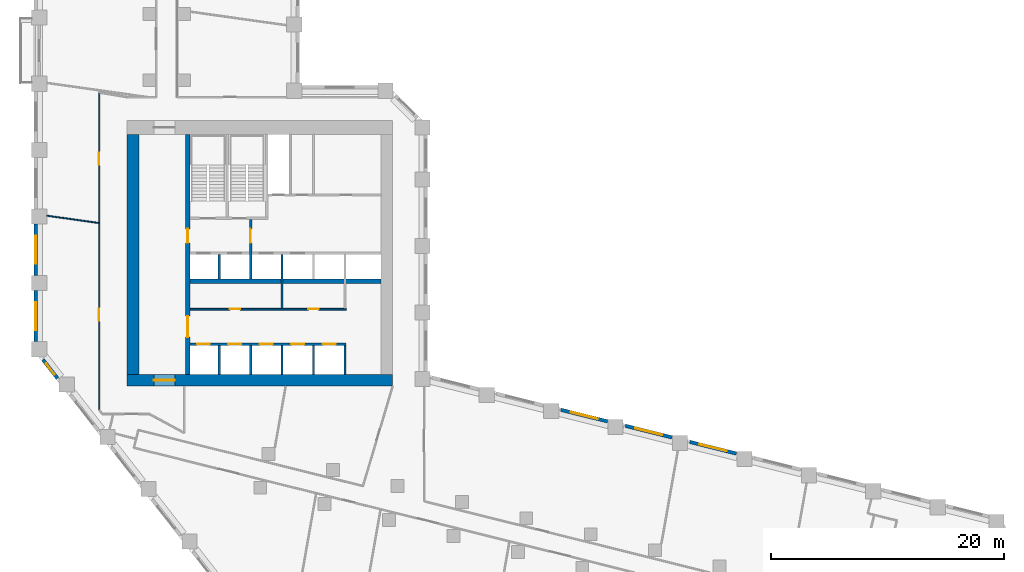
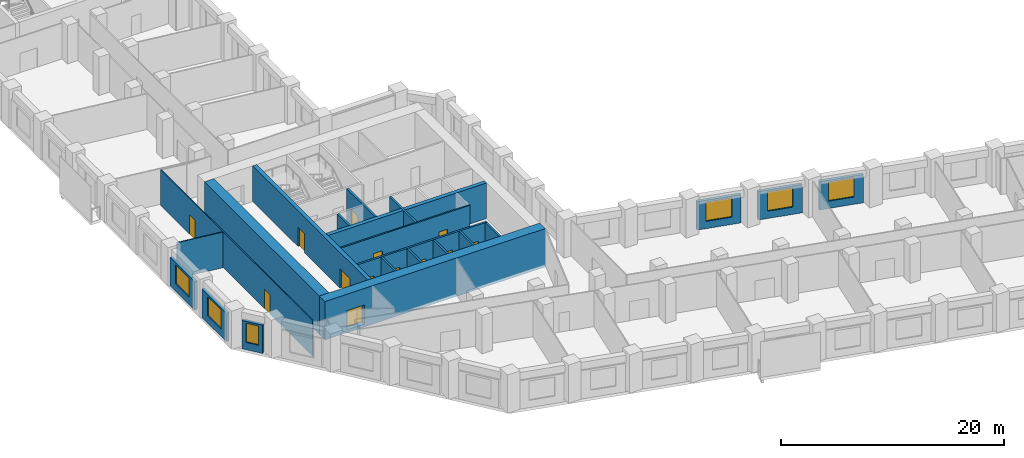
# One storey, part 4 of 10: 22 walls, 13 doors, 6 windows, 19 openings.
"""IFC4 building model written with IfcOpenShell, lengths in metres."""

import ifcopenshell
import ifcopenshell.guid

model = None  # the IFC model being written
_history = None  # IfcOwnerHistory: only IFC2X3 demands one
_inside = {}  # id of a spatial element -> (the spatial element, [elements in it])
_under = {}  # id of a project, library or spatial element -> (it, [spatial elements below it])
_declared = {}  # id of a project -> (the project, [libraries it declares])
_typed = {}  # id of a type object -> (the type object, [elements of that type])
_made_of = {}  # id of a material, layer set ... -> (it, [elements and type objects made of it])


def new_model(schema):
    """Start an empty IFC model of exactly this schema.

    Asked for "IFC4X3", IfcOpenShell would pick the latest addendum, in which some entities
    have other attributes; the version numbers below select the first issue.
    IFC2X3 requires an IfcOwnerHistory on every rooted entity: one is made here for all.
    """
    global model, _history
    if schema == "IFC4X3":
        model = ifcopenshell.file(schema_version=(4, 3, 0, 0))
    else:
        model = ifcopenshell.file(schema=schema)
    _inside.clear()
    _under.clear()
    _declared.clear()
    _typed.clear()
    _made_of.clear()
    _history = None
    if model.schema == "IFC2X3":
        org = make("IfcOrganization", Name="unknown")
        user = make(
            "IfcPersonAndOrganization",
            ThePerson=make("IfcPerson", FamilyName="unknown"),
            TheOrganization=org,
        )
        app = make(
            "IfcApplication",
            ApplicationDeveloper=org,
            Version="unknown",
            ApplicationFullName="unknown",
            ApplicationIdentifier="unknown",
        )
        _history = make(
            "IfcOwnerHistory",
            OwningUser=user,
            OwningApplication=app,
            ChangeAction="ADDED",
            CreationDate=0,
        )
    return model


def make(cls, **values):
    """One entity of the class cls with the attributes given. An attribute that is None is left unset."""
    return model.create_entity(
        cls, **{name: value for name, value in values.items() if value is not None}
    )


def rooted(cls, **values):
    """An entity with a GlobalId (a new one), such as an element, a storey or a relation."""
    return make(cls, GlobalId=ifcopenshell.guid.new(), OwnerHistory=_history, **values)


def si_unit(unit_type, name, prefix=None):
    """IfcSIUnit, for example si_unit("LENGTHUNIT", "METRE", prefix="MILLI")."""
    return make("IfcSIUnit", UnitType=unit_type, Prefix=prefix, Name=name)


def assignment(units):
    """IfcUnitAssignment: the units of a project."""
    return None if units is None else make("IfcUnitAssignment", Units=units)


def point(xyz):
    """IfcCartesianPoint."""
    return None if xyz is None else make("IfcCartesianPoint", Coordinates=xyz)


def direction(xyz):
    """IfcDirection."""
    return None if xyz is None else make("IfcDirection", DirectionRatios=xyz)


def frame(location, z_axis=None, x_axis=None):
    """IfcAxis2Placement3D, a coordinate frame: its origin and axes. An axis left out is left unset."""
    return make(
        "IfcAxis2Placement3D",
        Location=point(location),
        Axis=direction(z_axis),
        RefDirection=direction(x_axis),
    )


def frame_2d(location, x_axis=None):
    """IfcAxis2Placement2D, a coordinate frame in the plane: its origin and x axis."""
    return make(
        "IfcAxis2Placement2D", Location=point(location), RefDirection=direction(x_axis)
    )


def origin():
    """The frame at (0, 0, 0) with its axes left unset."""
    return frame((0.0, 0.0, 0.0))


def place(relative_to, where):
    """IfcLocalPlacement: puts the frame where relative to a parent placement (None: the world)."""
    return make(
        "IfcLocalPlacement", PlacementRelTo=relative_to, RelativePlacement=where
    )


def context(
    kind, dimensions, precision=None, world=None, true_north=None, identifier=None
):
    """IfcGeometricRepresentationContext, for example the 3D "Model" context."""
    return make(
        "IfcGeometricRepresentationContext",
        ContextIdentifier=identifier,
        ContextType=kind,
        CoordinateSpaceDimension=dimensions,
        Precision=precision,
        WorldCoordinateSystem=world,
        TrueNorth=true_north,
    )


def subcontext(parent, identifier, kind, view, scale=None):
    """IfcGeometricRepresentationSubContext, for example "Body" below "Model"."""
    return make(
        "IfcGeometricRepresentationSubContext",
        ContextIdentifier=identifier,
        ContextType=kind,
        ParentContext=parent,
        TargetScale=scale,
        TargetView=view,
    )


def project(units=None, contexts=None):
    """IfcProject with its units and contexts."""
    return rooted(
        "IfcProject",
        Name="project",
        RepresentationContexts=contexts,
        UnitsInContext=assignment(units),
    )


def spatial(cls, under=None, at=None, **own):
    """A site, building, storey or space (cls), placed at a placement, below another one or the project."""
    s = rooted(cls, ObjectPlacement=at, **own)
    if under is not None:
        _under.setdefault(under.id(), (under, []))[1].append(s)
    return s


def profile(cls, at=None, kind="AREA", **sizes):
    """A parametric profile (cls). Its sizes go by their IFC names, for example OverallWidth=200.0."""
    return make(cls, ProfileType=kind, Position=at, **sizes)


def rectangle(**sizes):
    """IfcRectangleProfileDef."""
    return profile("IfcRectangleProfileDef", **sizes)


def extrude(swept, where, along, depth):
    """IfcExtrudedAreaSolid: the profile swept, set in the frame where, extruded along a direction by depth."""
    return make(
        "IfcExtrudedAreaSolid",
        SweptArea=swept,
        Position=where,
        ExtrudedDirection=direction(along),
        Depth=depth,
    )


def shape(context_of_items, identifier, shape_type, items):
    """IfcShapeRepresentation: the items that make up one representation, for example the "Body"."""
    return make(
        "IfcShapeRepresentation",
        ContextOfItems=context_of_items,
        RepresentationIdentifier=identifier,
        RepresentationType=shape_type,
        Items=items,
    )


def material(Name=None, Category=None):
    """IfcMaterial."""
    return make("IfcMaterial", Name=Name, Category=Category)


def layer(
    of_material, thickness, ventilated=None, Name=None, Category=None, Priority=None
):
    """IfcMaterialLayer: one layer of a wall or slab, of a material (None: an air gap)."""
    return make(
        "IfcMaterialLayer",
        Material=of_material,
        LayerThickness=thickness,
        IsVentilated=ventilated,
        Name=Name,
        Category=Category,
        Priority=Priority,
    )


def layer_set(layers, Name=None):
    """IfcMaterialLayerSet."""
    return make("IfcMaterialLayerSet", MaterialLayers=layers, LayerSetName=Name)


def made_of(thing, what):
    """Note that an element or type object is made of a material, layer set ...; save() writes the relation."""
    if what is not None:
        _made_of.setdefault(what.id(), (what, []))[1].append(thing)
    return thing


def type_object(cls, material=None, **own):
    """A type object (cls), such as IfcWallType, which elements share."""
    return made_of(rooted(cls, **own), material)


def element(
    cls,
    number,
    at=None,
    inside=None,
    cuts=None,
    type_object=None,
    material=None,
    context=None,
    identifier="Body",
    shape_type=None,
    held_by="IfcProductDefinitionShape",
    body=None,
    shapes=None,
    **own,
):
    """One element of the class cls, such as IfcWall. Its Tag is "e" and its number.

    at: its placement. inside: the storey or other place that contains it. cuts: it is an
    opening in that element (IfcRelVoidsElement). A single representation is given by context,
    identifier, shape_type and body (its items); several are given by shapes. held_by: the class
    of the entity that holds the representations. save() writes the other relations.
    """
    e = rooted(cls, Tag="e%d" % number, ObjectPlacement=at, **own)
    if body is not None:
        shapes = [shape(context, identifier, shape_type, body)]
    if shapes is not None:
        e.Representation = make(held_by, Representations=shapes)
    if inside is not None:
        _inside.setdefault(inside.id(), (inside, []))[1].append(e)
    if cuts is not None:
        rooted(
            "IfcRelVoidsElement", RelatingBuildingElement=cuts, RelatedOpeningElement=e
        )
    if type_object is not None:
        _typed.setdefault(type_object.id(), (type_object, []))[1].append(e)
    return made_of(e, material)


def fill(opening, filler):
    """IfcRelFillsElement: the door or window that sits in an opening."""
    return rooted(
        "IfcRelFillsElement",
        RelatingOpeningElement=opening,
        RelatedBuildingElement=filler,
    )


def aggregate(whole, parts):
    """IfcRelAggregates: a whole, such as a stair, and the parts it consists of."""
    return rooted("IfcRelAggregates", RelatingObject=whole, RelatedObjects=parts)


def save(model, path):
    """Write the relations noted so far, then the file.

    IfcRelAggregates (storeys below a building ...), IfcRelContainedInSpatialStructure (elements
    in a storey), IfcRelDefinesByType, IfcRelAssociatesMaterial and IfcRelDeclares: one each for
    every whole, place, type object, material and project.
    """
    for whole, parts in _under.values():
        aggregate(whole, parts)
    for where, things in _inside.values():
        rooted(
            "IfcRelContainedInSpatialStructure",
            RelatedElements=things,
            RelatingStructure=where,
        )
    for kind, things in _typed.values():
        rooted("IfcRelDefinesByType", RelatedObjects=things, RelatingType=kind)
    for what, things in _made_of.values():
        rooted("IfcRelAssociatesMaterial", RelatedObjects=things, RelatingMaterial=what)
    for by, libraries in _declared.values():
        rooted("IfcRelDeclares", RelatingContext=by, RelatedDefinitions=libraries)
    model.write(path)


model = new_model("IFC4")

# Units and contexts
model_context = context("Model", 3, precision=1e-05, world=origin(), true_north=direction((0.0, 1.0)))
body_context = subcontext(model_context, "Body", "Model", "MODEL_VIEW")
ifc_project = project(units=[si_unit("LENGTHUNIT", "METRE"), si_unit("AREAUNIT", "SQUARE_METRE"), si_unit("VOLUMEUNIT", "CUBIC_METRE"), si_unit("PLANEANGLEUNIT", "RADIAN"), si_unit("MASSUNIT", "GRAM", prefix="KILO")], contexts=[model_context])

# Site, building, storey
site_placement = place(None, origin())
site = spatial("IfcSite", under=ifc_project, at=site_placement, CompositionType="ELEMENT")
building_placement = place(site_placement, origin())
building = spatial("IfcBuilding", under=site, at=building_placement, Name="Meshkara Civic Tower", CompositionType="ELEMENT")
storey_placement = place(building_placement, frame((0.0, 0.0, 109.800048828125)))
storey = spatial("IfcBuildingStorey", under=building, at=storey_placement, Name="L24", CompositionType="ELEMENT", Elevation=109.800048828125)

# Wall, openings, doors
ifc_material_1 = material(Name="Blockwork", Category="masonry")
ifc_layer_1 = layer(ifc_material_1, 0.14990234375)
ifc_layer_set_1 = layer_set([ifc_layer_1], Name="Core partition 150")
wall_type_1 = type_object("IfcWallType", Name="Core partition 150", PredefinedType="PARTITIONING", material=ifc_layer_set_1)
wall_1_placement = place(storey_placement, frame((13.39990234375, 20.699951171875, 0.0), z_axis=(0.0, 0.0, 1.0), x_axis=(1.0, 0.0, 0.0)))
wall_1 = element("IfcWall", 1, at=wall_1_placement, inside=storey, type_object=wall_type_1, Name="L24-C006", PredefinedType="PARTITIONING", context=body_context, shape_type="SweptSolid", body=[
    extrude(rectangle(XDim=13.400146484375, YDim=0.14990234375, at=frame_2d((6.7001953125, 0.0))), origin(), (0.0, 0.0, 1.0), 3.89990234375),
])
opening_1_placement = place(wall_1_placement, frame((3.39990234375, 0.0, 0.0)))
opening_1 = element("IfcOpeningElement", 2, at=opening_1_placement, cuts=wall_1, Name="Opening L24-K010", PredefinedType="OPENING", context=body_context, shape_type="SweptSolid", body=[
    extrude(rectangle(XDim=0.89990234375, YDim=2.10009765625, at=frame_2d((0.449951171875, 1.050048828125))), frame((0.0, 0.0849609375, 0.0), z_axis=(0.0, -1.0, 0.0), x_axis=(1.0, 0.0, 0.0)), (0.0, 0.0, 1.0), 0.169921875),
])
opening_2_placement = place(wall_1_placement, frame((10.14990234375, 0.0, 0.0)))
opening_2 = element("IfcOpeningElement", 3, at=opening_2_placement, cuts=wall_1, Name="Opening L24-K011", PredefinedType="OPENING", context=body_context, shape_type="SweptSolid", body=[
    extrude(rectangle(XDim=0.89990234375, YDim=2.10009765625, at=frame_2d((0.449951171875, 1.050048828125))), frame((0.0, 0.0849609375, 0.0), z_axis=(0.0, -1.0, 0.0), x_axis=(1.0, 0.0, 0.0)), (0.0, 0.0, 1.0), 0.169921875),
])
ifc_material_2 = material(Name="Timber door leaf in steel frame", Category="steel")
door_type_1 = type_object("IfcDoorType", Name="Core room door 900", OperationType="SINGLE_SWING_LEFT", PredefinedType="DOOR", material=ifc_material_2)
door_1_placement = place(opening_1_placement, origin())
door_1 = element("IfcDoor", 4, at=door_1_placement, inside=storey, type_object=door_type_1, Name="L24-K010", OperationType="SINGLE_SWING_RIGHT", OverallHeight=2.10009765625, OverallWidth=0.89990234375, PredefinedType="DOOR", context=body_context, shape_type="SweptSolid", body=[
    extrude(rectangle(XDim=0.89990234375, YDim=2.10009765625, at=frame_2d((0.449951171875, 1.050048828125))), frame((0.0, 0.02490234375, 0.0), z_axis=(0.0, -1.0, 0.0), x_axis=(1.0, 0.0, 0.0)), (0.0, 0.0, 1.0), 0.050048828125),
])
fill(opening_1, door_1)
door_2_placement = place(opening_2_placement, origin())
door_2 = element("IfcDoor", 5, at=door_2_placement, inside=storey, type_object=door_type_1, Name="L24-K011", OperationType="SINGLE_SWING_RIGHT", OverallHeight=2.10009765625, OverallWidth=0.89990234375, PredefinedType="DOOR", context=body_context, shape_type="SweptSolid", body=[
    extrude(rectangle(XDim=0.89990234375, YDim=2.10009765625, at=frame_2d((0.449951171875, 1.050048828125))), frame((0.0, 0.02490234375, 0.0), z_axis=(0.0, -1.0, 0.0), x_axis=(1.0, 0.0, 0.0)), (0.0, 0.0, 1.0), 0.050048828125),
])
fill(opening_2, door_2)

# Wall, opening, door
ifc_material_3 = material(Name="Concrete C70", Category="concrete")
ifc_layer_2 = layer(ifc_material_3, 1.0)
ifc_layer_set_2 = layer_set([ifc_layer_2], Name="Core ring wall 1000 C70")
wall_type_2 = type_object("IfcWallType", Name="Core ring wall 1000 C70", PredefinedType="SHEAR", material=ifc_layer_set_2)
wall_2_placement = place(storey_placement, frame((8.0, 14.60009765625, -0.300048828125), z_axis=(0.0, 0.0, 1.0), x_axis=(1.0, 0.0, 0.0)))
wall_2 = element("IfcWall", 6, at=wall_2_placement, inside=storey, type_object=wall_type_2, Name="L24-C001", PredefinedType="SHEAR", context=body_context, shape_type="SweptSolid", body=[
    extrude(rectangle(XDim=22.800048828125, YDim=1.0, at=frame_2d((11.39990234375, 0.0))), origin(), (0.0, 0.0, 1.0), 4.199951171875),
])
opening_3_placement = place(wall_2_placement, frame((2.300048828125, 0.0, 0.300048828125)))
opening_3 = element("IfcOpeningElement", 7, at=opening_3_placement, cuts=wall_2, Name="Opening L24-K021", PredefinedType="OPENING", context=body_context, shape_type="SweptSolid", body=[
    extrude(rectangle(XDim=1.800048828125, YDim=2.10009765625, at=frame_2d((0.89990234375, 1.050048828125))), frame((0.0, 0.510009765625, 0.0), z_axis=(0.0, -1.0, 0.0), x_axis=(1.0, 0.0, 0.0)), (0.0, 0.0, 1.0), 1.02001953125),
])
ifc_material_4 = material(Name="Fire-rated door leaf in steel frame", Category="steel")
door_type_2 = type_object("IfcDoorType", Name="Core double door 1800 EI 60", OperationType="DOUBLE_DOOR_SINGLE_SWING", PredefinedType="DOOR", material=ifc_material_4)
door_3_placement = place(opening_3_placement, origin())
door_3 = element("IfcDoor", 8, at=door_3_placement, inside=storey, type_object=door_type_2, Name="L24-K021", OperationType="DOUBLE_DOOR_SINGLE_SWING", OverallHeight=2.10009765625, OverallWidth=1.800048828125, PredefinedType="DOOR", context=body_context, shape_type="SweptSolid", body=[
    extrude(rectangle(XDim=1.800048828125, YDim=2.10009765625, at=frame_2d((0.89990234375, 1.050048828125))), frame((0.0, 0.02490234375, 0.0), z_axis=(0.0, -1.0, 0.0), x_axis=(1.0, 0.0, 0.0)), (0.0, 0.0, 1.0), 0.050048828125),
])
fill(opening_3, door_3)

# Walls
wall_3_placement = place(storey_placement, frame((8.5, 15.10009765625, -0.300048828125), z_axis=(0.0, 0.0, 1.0), x_axis=(0.0, 1.0, 0.0)))
element("IfcWall", 9, at=wall_3_placement, inside=storey, type_object=wall_type_2, Name="L24-C003", PredefinedType="SHEAR", context=body_context, shape_type="SweptSolid", body=[
    extrude(rectangle(XDim=20.599853515625, YDim=1.0, at=frame_2d((10.2998046875, 0.0))), origin(), (0.0, 0.0, 1.0), 4.199951171875),
])
ifc_material_5 = material(Name="Concrete C70", Category="concrete")
ifc_layer_3 = layer(ifc_material_5, 0.39990234375)
ifc_layer_set_3 = layer_set([ifc_layer_3], Name="Core shear wall 400 C70")
wall_type_3 = type_object("IfcWallType", Name="Core shear wall 400 C70", PredefinedType="SHEAR", material=ifc_layer_set_3)
wall_4_placement = place(storey_placement, frame((13.39990234375, 23.10009765625, 0.0), z_axis=(0.0, 0.0, 1.0), x_axis=(1.0, 0.0, 0.0)))
element("IfcWall", 10, at=wall_4_placement, inside=storey, type_object=wall_type_3, Name="L24-C007", PredefinedType="SHEAR", context=body_context, shape_type="SweptSolid", body=[
    extrude(rectangle(XDim=16.400146484375, YDim=0.39990234375, at=frame_2d((8.2001953125, 0.0))), origin(), (0.0, 0.0, 1.0), 3.89990234375),
])

# Wall, openings, doors
wall_5_placement = place(storey_placement, frame((13.199951171875, 15.10009765625, 0.0), z_axis=(0.0, 0.0, 1.0), x_axis=(0.0, 1.0, 0.0)))
wall_5 = element("IfcWall", 11, at=wall_5_placement, inside=storey, type_object=wall_type_3, Name="L24-C011", PredefinedType="SHEAR", context=body_context, shape_type="SweptSolid", body=[
    extrude(rectangle(XDim=20.599853515625, YDim=0.39990234375, at=frame_2d((10.2998046875, 0.0))), origin(), (0.0, 0.0, 1.0), 3.89990234375),
])
opening_4_placement = place(wall_5_placement, frame((3.199951171875, 0.0, 0.0)))
opening_4 = element("IfcOpeningElement", 12, at=opening_4_placement, cuts=wall_5, Name="Opening L24-K017", PredefinedType="OPENING", context=body_context, shape_type="SweptSolid", body=[
    extrude(rectangle(XDim=1.800048828125, YDim=2.10009765625, at=frame_2d((0.89990234375, 1.050048828125))), frame((0.0, 0.2099609375, 0.0), z_axis=(0.0, -1.0, 0.0), x_axis=(1.0, 0.0, 0.0)), (0.0, 0.0, 1.0), 0.419921875),
])
opening_5_placement = place(wall_5_placement, frame((11.300048828125, 0.0, 0.0)))
opening_5 = element("IfcOpeningElement", 13, at=opening_5_placement, cuts=wall_5, Name="Opening L24-K018", PredefinedType="OPENING", context=body_context, shape_type="SweptSolid", body=[
    extrude(rectangle(XDim=1.199951171875, YDim=2.10009765625, at=frame_2d((0.60009765625, 1.050048828125))), frame((0.0, 0.2099609375, 0.0), z_axis=(0.0, -1.0, 0.0), x_axis=(1.0, 0.0, 0.0)), (0.0, 0.0, 1.0), 0.419921875),
])
door_4_placement = place(opening_4_placement, origin())
door_4 = element("IfcDoor", 14, at=door_4_placement, inside=storey, type_object=door_type_2, Name="L24-K017", OperationType="DOUBLE_DOOR_SINGLE_SWING", OverallHeight=2.10009765625, OverallWidth=1.800048828125, PredefinedType="DOOR", context=body_context, shape_type="SweptSolid", body=[
    extrude(rectangle(XDim=1.800048828125, YDim=2.10009765625, at=frame_2d((0.89990234375, 1.050048828125))), frame((0.0, 0.02490234375, 0.0), z_axis=(0.0, -1.0, 0.0), x_axis=(1.0, 0.0, 0.0)), (0.0, 0.0, 1.0), 0.050048828125),
])
fill(opening_4, door_4)
ifc_material_6 = material(Name="Fire-rated door leaf in steel frame", Category="steel")
door_type_3 = type_object("IfcDoorType", Name="Fire-fighting lobby door 1200 EI 120", OperationType="SINGLE_SWING_LEFT", PredefinedType="DOOR", material=ifc_material_6)
door_5_placement = place(opening_5_placement, origin())
door_5 = element("IfcDoor", 15, at=door_5_placement, inside=storey, type_object=door_type_3, Name="L24-K018", OperationType="SINGLE_SWING_LEFT", OverallHeight=2.10009765625, OverallWidth=1.199951171875, PredefinedType="DOOR", context=body_context, shape_type="SweptSolid", body=[
    extrude(rectangle(XDim=1.199951171875, YDim=2.10009765625, at=frame_2d((0.60009765625, 1.050048828125))), frame((0.0, 0.02490234375, 0.0), z_axis=(0.0, -1.0, 0.0), x_axis=(1.0, 0.0, 0.0)), (0.0, 0.0, 1.0), 0.050048828125),
])
fill(opening_5, door_5)

ifc_material_7 = material(Name="Corridor wall 100")
ifc_layer_4 = layer(ifc_material_7, 0.10009765625)
ifc_layer_set_4 = layer_set([ifc_layer_4], Name="Corridor wall 100")
wall_type_4 = type_object("IfcWallType", Name="Corridor wall 100", PredefinedType="PARTITIONING", material=ifc_layer_set_4)
wall_6_placement = place(storey_placement, frame((5.60009765625, 39.300048828125, 0.0), z_axis=(0.0, 0.0, 1.0), x_axis=(0.0, -1.0, 0.0)))
wall_6 = element("IfcWall", 16, at=wall_6_placement, inside=storey, type_object=wall_type_4, Name="L24-W004", PredefinedType="PARTITIONING", context=body_context, shape_type="SweptSolid", body=[
    extrude(rectangle(XDim=27.257080078125, YDim=0.10009765625, at=frame_2d((13.62841796875, 0.0))), origin(), (0.0, 0.0, 1.0), 3.89990234375),
])
opening_6_placement = place(wall_6_placement, frame((18.5791015625, 0.0, 0.0)))
opening_6 = element("IfcOpeningElement", 17, at=opening_6_placement, cuts=wall_6, Name="Opening L24-D015", PredefinedType="OPENING", context=body_context, shape_type="SweptSolid", body=[
    extrude(rectangle(XDim=1.0, YDim=2.10009765625, at=frame_2d((0.5, 1.050048828125))), frame((0.0, 0.06005859375, 0.0), z_axis=(0.0, -1.0, 0.0), x_axis=(1.0, 0.0, 0.0)), (0.0, 0.0, 1.0), 0.1201171875),
])
opening_7_placement = place(wall_6_placement, frame((5.179931640625, 0.0, 0.0)))
opening_7 = element("IfcOpeningElement", 18, at=opening_7_placement, cuts=wall_6, Name="Opening L24-D016", PredefinedType="OPENING", context=body_context, shape_type="SweptSolid", body=[
    extrude(rectangle(XDim=1.0, YDim=2.10009765625, at=frame_2d((0.5, 1.050048828125))), frame((0.0, 0.06005859375, 0.0), z_axis=(0.0, -1.0, 0.0), x_axis=(1.0, 0.0, 0.0)), (0.0, 0.0, 1.0), 0.1201171875),
])
ifc_material_8 = material(Name="Door 1000 x 2100")
door_type_4 = type_object("IfcDoorType", Name="Door 1000 x 2100", OperationType="SINGLE_SWING_LEFT", PredefinedType="DOOR", material=ifc_material_8)
door_6_placement = place(opening_6_placement, origin())
door_6 = element("IfcDoor", 19, at=door_6_placement, inside=storey, type_object=door_type_4, Name="L24-D015", OperationType="SINGLE_SWING_RIGHT", OverallHeight=2.10009765625, OverallWidth=1.0, PredefinedType="DOOR", context=body_context, shape_type="SweptSolid", body=[
    extrude(rectangle(XDim=1.0, YDim=2.10009765625, at=frame_2d((0.5, 1.050048828125))), frame((0.0, 0.02490234375, 0.0), z_axis=(0.0, -1.0, 0.0), x_axis=(1.0, 0.0, 0.0)), (0.0, 0.0, 1.0), 0.050048828125),
])
fill(opening_6, door_6)
door_7_placement = place(opening_7_placement, origin())
door_7 = element("IfcDoor", 20, at=door_7_placement, inside=storey, type_object=door_type_4, Name="L24-D016", OperationType="SINGLE_SWING_LEFT", OverallHeight=2.10009765625, OverallWidth=1.0, PredefinedType="DOOR", context=body_context, shape_type="SweptSolid", body=[
    extrude(rectangle(XDim=1.0, YDim=2.10009765625, at=frame_2d((0.5, 1.050048828125))), frame((0.0, 0.02490234375, 0.0), z_axis=(0.0, -1.0, 0.0), x_axis=(1.0, 0.0, 0.0)), (0.0, 0.0, 1.0), 0.050048828125),
])
fill(opening_7, door_7)

# Wall, opening, window
ifc_material_9 = material(Name="Insulated infill panel with bronze anodised aluminium cladding", Category="aluminium")
ifc_layer_5 = layer(ifc_material_9, 0.300048828125)
ifc_layer_set_5 = layer_set([ifc_layer_5], Name="EXTERNAL INFILL WALL 300")
wall_type_5 = type_object("IfcWallType", Name="EXTERNAL INFILL WALL 300", PredefinedType="SOLIDWALL", material=ifc_layer_set_5)
wall_7_placement = place(storey_placement, frame((60.31103515625, 8.305908203125, 0.0), z_axis=(0.0, 0.0, 1.0), x_axis=(-0.970267747908, 0.242034083076, 0.0)))
wall_7 = element("IfcWall", 21, at=wall_7_placement, inside=storey, type_object=wall_type_5, Name="External wall", PredefinedType="SOLIDWALL", context=body_context, shape_type="SweptSolid", body=[
    extrude(rectangle(XDim=4.12353515625, YDim=0.300048828125, at=frame_2d((2.061767578125, 0.0))), origin(), (0.0, 0.0, 1.0), 3.099853515625),
])
opening_8_placement = place(wall_7_placement, frame((0.862060546875, 0.0, 0.800048828125)))
opening_8 = element("IfcOpeningElement", 22, at=opening_8_placement, cuts=wall_7, Name="Opening W7", PredefinedType="OPENING", context=body_context, shape_type="SweptSolid", body=[
    extrude(rectangle(XDim=2.39990234375, YDim=2.10009765625, at=frame_2d((1.199951171875, 1.050048828125))), frame((0.0, 0.159912109375, 0.0), z_axis=(0.0, -1.0, 0.0), x_axis=(1.0, 0.0, 0.0)), (0.0, 0.0, 1.0), 0.320068359375),
])
ifc_material_10 = material(Name="Tinted double glazing", Category="glass")
window_type_1 = type_object("IfcWindowType", Name="WINDOW 2400x2100", PartitioningType="DOUBLE_PANEL_VERTICAL", PredefinedType="WINDOW", material=ifc_material_10)
window_1_placement = place(opening_8_placement, origin())
window_1 = element("IfcWindow", 23, at=window_1_placement, inside=storey, type_object=window_type_1, Name="Window", OverallHeight=2.10009765625, OverallWidth=2.39990234375, PartitioningType="DOUBLE_PANEL_VERTICAL", PredefinedType="WINDOW", context=body_context, shape_type="SweptSolid", body=[
    extrude(rectangle(XDim=2.39990234375, YDim=2.10009765625, at=frame_2d((1.199951171875, 1.050048828125))), frame((0.0, 0.030029296875, 0.0), z_axis=(0.0, -1.0, 0.0), x_axis=(1.0, 0.0, 0.0)), (0.0, 0.0, 1.0), 0.06005859375),
])
fill(opening_8, window_1)

wall_8_placement = place(storey_placement, frame((54.781005859375, 9.68505859375, 0.0), z_axis=(0.0, 0.0, 1.0), x_axis=(-0.970281616392, 0.241978480223, 0.0)))
wall_8 = element("IfcWall", 24, at=wall_8_placement, inside=storey, type_object=wall_type_5, Name="External wall", PredefinedType="SOLIDWALL", context=body_context, shape_type="SweptSolid", body=[
    extrude(rectangle(XDim=4.12451171875, YDim=0.300048828125, at=frame_2d((2.062255859375, 0.0))), origin(), (0.0, 0.0, 1.0), 3.099853515625),
])
opening_9_placement = place(wall_8_placement, frame((0.862060546875, 0.0, 0.800048828125)))
opening_9 = element("IfcOpeningElement", 25, at=opening_9_placement, cuts=wall_8, Name="Opening W7", PredefinedType="OPENING", context=body_context, shape_type="SweptSolid", body=[
    extrude(rectangle(XDim=2.39990234375, YDim=2.10009765625, at=frame_2d((1.199951171875, 1.050048828125))), frame((0.0, 0.159912109375, 0.0), z_axis=(0.0, -1.0, 0.0), x_axis=(1.0, 0.0, 0.0)), (0.0, 0.0, 1.0), 0.320068359375),
])
window_2_placement = place(opening_9_placement, origin())
window_2 = element("IfcWindow", 26, at=window_2_placement, inside=storey, type_object=window_type_1, Name="Window", OverallHeight=2.10009765625, OverallWidth=2.39990234375, PartitioningType="DOUBLE_PANEL_VERTICAL", PredefinedType="WINDOW", context=body_context, shape_type="SweptSolid", body=[
    extrude(rectangle(XDim=2.39990234375, YDim=2.10009765625, at=frame_2d((1.199951171875, 1.050048828125))), frame((0.0, 0.030029296875, 0.0), z_axis=(0.0, -1.0, 0.0), x_axis=(1.0, 0.0, 0.0)), (0.0, 0.0, 1.0), 0.06005859375),
])
fill(opening_9, window_2)

wall_9_placement = place(storey_placement, frame((49.25, 11.06396484375, 0.0), z_axis=(0.0, 0.0, 1.0), x_axis=(-0.970281616392, 0.241978480223, 0.0)))
wall_9 = element("IfcWall", 27, at=wall_9_placement, inside=storey, type_object=wall_type_5, Name="External wall", PredefinedType="SOLIDWALL", context=body_context, shape_type="SweptSolid", body=[
    extrude(rectangle(XDim=4.12451171875, YDim=0.300048828125, at=frame_2d((2.062255859375, 0.0))), origin(), (0.0, 0.0, 1.0), 3.099853515625),
])
opening_10_placement = place(wall_9_placement, frame((0.862060546875, 0.0, 0.800048828125)))
opening_10 = element("IfcOpeningElement", 28, at=opening_10_placement, cuts=wall_9, Name="Opening W7", PredefinedType="OPENING", context=body_context, shape_type="SweptSolid", body=[
    extrude(rectangle(XDim=2.39990234375, YDim=2.10009765625, at=frame_2d((1.199951171875, 1.050048828125))), frame((0.0, 0.159912109375, 0.0), z_axis=(0.0, -1.0, 0.0), x_axis=(1.0, 0.0, 0.0)), (0.0, 0.0, 1.0), 0.320068359375),
])
window_3_placement = place(opening_10_placement, origin())
window_3 = element("IfcWindow", 29, at=window_3_placement, inside=storey, type_object=window_type_1, Name="Window", OverallHeight=2.10009765625, OverallWidth=2.39990234375, PartitioningType="DOUBLE_PANEL_VERTICAL", PredefinedType="WINDOW", context=body_context, shape_type="SweptSolid", body=[
    extrude(rectangle(XDim=2.39990234375, YDim=2.10009765625, at=frame_2d((1.199951171875, 1.050048828125))), frame((0.0, 0.030029296875, 0.0), z_axis=(0.0, -1.0, 0.0), x_axis=(1.0, 0.0, 0.0)), (0.0, 0.0, 1.0), 0.06005859375),
])
fill(opening_10, window_3)

wall_10_placement = place(storey_placement, frame((0.14990234375, 28.0048828125, 0.0), z_axis=(0.0, 0.0, 1.0), x_axis=(0.0, -1.0, 0.0)))
wall_10 = element("IfcWall", 30, at=wall_10_placement, inside=storey, type_object=wall_type_5, Name="External wall", PredefinedType="SOLIDWALL", context=body_context, shape_type="SweptSolid", body=[
    extrude(rectangle(XDim=4.39990234375, YDim=0.300048828125, at=frame_2d((2.199951171875, 0.0))), origin(), (0.0, 0.0, 1.0), 3.099853515625),
])
opening_11_placement = place(wall_10_placement, frame((1.0, 0.0, 0.800048828125)))
opening_11 = element("IfcOpeningElement", 31, at=opening_11_placement, cuts=wall_10, Name="Opening W7", PredefinedType="OPENING", context=body_context, shape_type="SweptSolid", body=[
    extrude(rectangle(XDim=2.39990234375, YDim=2.10009765625, at=frame_2d((1.199951171875, 1.050048828125))), frame((0.0, 0.159912109375, 0.0), z_axis=(0.0, -1.0, 0.0), x_axis=(1.0, 0.0, 0.0)), (0.0, 0.0, 1.0), 0.320068359375),
])
window_4_placement = place(opening_11_placement, origin())
window_4 = element("IfcWindow", 32, at=window_4_placement, inside=storey, type_object=window_type_1, Name="Window", OverallHeight=2.10009765625, OverallWidth=2.39990234375, PartitioningType="DOUBLE_PANEL_VERTICAL", PredefinedType="WINDOW", context=body_context, shape_type="SweptSolid", body=[
    extrude(rectangle(XDim=2.39990234375, YDim=2.10009765625, at=frame_2d((1.199951171875, 1.050048828125))), frame((0.0, 0.030029296875, 0.0), z_axis=(0.0, -1.0, 0.0), x_axis=(1.0, 0.0, 0.0)), (0.0, 0.0, 1.0), 0.06005859375),
])
fill(opening_11, window_4)

wall_11_placement = place(storey_placement, frame((0.14990234375, 22.304931640625, 0.0), z_axis=(0.0, 0.0, 1.0), x_axis=(0.0, -1.0, 0.0)))
wall_11 = element("IfcWall", 33, at=wall_11_placement, inside=storey, type_object=wall_type_5, Name="External wall", PredefinedType="SOLIDWALL", context=body_context, shape_type="SweptSolid", body=[
    extrude(rectangle(XDim=4.39990234375, YDim=0.300048828125, at=frame_2d((2.199951171875, 0.0))), origin(), (0.0, 0.0, 1.0), 3.099853515625),
])
opening_12_placement = place(wall_11_placement, frame((1.0, 0.0, 0.800048828125)))
opening_12 = element("IfcOpeningElement", 34, at=opening_12_placement, cuts=wall_11, Name="Opening W7", PredefinedType="OPENING", context=body_context, shape_type="SweptSolid", body=[
    extrude(rectangle(XDim=2.39990234375, YDim=2.10009765625, at=frame_2d((1.199951171875, 1.050048828125))), frame((0.0, 0.159912109375, 0.0), z_axis=(0.0, -1.0, 0.0), x_axis=(1.0, 0.0, 0.0)), (0.0, 0.0, 1.0), 0.320068359375),
])
window_5_placement = place(opening_12_placement, origin())
window_5 = element("IfcWindow", 35, at=window_5_placement, inside=storey, type_object=window_type_1, Name="Window", OverallHeight=2.10009765625, OverallWidth=2.39990234375, PartitioningType="DOUBLE_PANEL_VERTICAL", PredefinedType="WINDOW", context=body_context, shape_type="SweptSolid", body=[
    extrude(rectangle(XDim=2.39990234375, YDim=2.10009765625, at=frame_2d((1.199951171875, 1.050048828125))), frame((0.0, 0.030029296875, 0.0), z_axis=(0.0, -1.0, 0.0), x_axis=(1.0, 0.0, 0.0)), (0.0, 0.0, 1.0), 0.06005859375),
])
fill(opening_12, window_5)

wall_12_placement = place(storey_placement, frame((0.77490234375, 16.35107421875, 0.0), z_axis=(0.0, 0.0, 1.0), x_axis=(0.6157921118, -0.787908671766, 0.0)))
wall_12 = element("IfcWall", 36, at=wall_12_placement, inside=storey, type_object=wall_type_5, Name="External wall", PredefinedType="SOLIDWALL", context=body_context, shape_type="SweptSolid", body=[
    extrude(rectangle(XDim=2.015625, YDim=0.300048828125, at=frame_2d((1.0078125, 0.0))), origin(), (0.0, 0.0, 1.0), 3.099853515625),
])
opening_13_placement = place(wall_12_placement, frame((0.407958984375, 0.0, 0.800048828125)))
opening_13 = element("IfcOpeningElement", 37, at=opening_13_placement, cuts=wall_12, Name="Opening W3", PredefinedType="OPENING", context=body_context, shape_type="SweptSolid", body=[
    extrude(rectangle(XDim=1.199951171875, YDim=2.10009765625, at=frame_2d((0.60009765625, 1.050048828125))), frame((0.0, 0.159912109375, 0.0), z_axis=(0.0, -1.0, 0.0), x_axis=(1.0, 0.0, 0.0)), (0.0, 0.0, 1.0), 0.320068359375),
])
ifc_material_11 = material(Name="Tinted double glazing", Category="glass")
window_type_2 = type_object("IfcWindowType", Name="WINDOW 1200x2100", PartitioningType="SINGLE_PANEL", PredefinedType="WINDOW", material=ifc_material_11)
window_6_placement = place(opening_13_placement, origin())
window_6 = element("IfcWindow", 38, at=window_6_placement, inside=storey, type_object=window_type_2, Name="Window", OverallHeight=2.10009765625, OverallWidth=1.199951171875, PartitioningType="SINGLE_PANEL", PredefinedType="WINDOW", context=body_context, shape_type="SweptSolid", body=[
    extrude(rectangle(XDim=1.199951171875, YDim=2.10009765625, at=frame_2d((0.60009765625, 1.050048828125))), frame((0.0, 0.030029296875, 0.0), z_axis=(0.0, -1.0, 0.0), x_axis=(1.0, 0.0, 0.0)), (0.0, 0.0, 1.0), 0.06005859375),
])
fill(opening_13, window_6)

# Wall
ifc_material_12 = material(Name="Partition 100")
ifc_layer_6 = layer(ifc_material_12, 0.10009765625)
ifc_layer_set_6 = layer_set([ifc_layer_6], Name="Partition 100")
wall_type_6 = type_object("IfcWallType", Name="Partition 100", PredefinedType="PARTITIONING", material=ifc_layer_set_6)
wall_13_placement = place(storey_placement, frame((5.54296875, 28.10107421875, 0.0), z_axis=(0.0, 0.0, 1.0), x_axis=(-0.990249777372, 0.139303188816, 0.0)))
element("IfcWall", 39, at=wall_13_placement, inside=storey, type_object=wall_type_6, Name="L24-W032", PredefinedType="PARTITIONING", context=body_context, shape_type="SweptSolid", body=[
    extrude(rectangle(XDim=4.486572265625, YDim=0.10009765625, at=frame_2d((2.2431640625, 0.0))), origin(), (0.0, 0.0, 1.0), 3.89990234375),
])

# Wall, openings, doors
ifc_material_13 = material(Name="Concrete C40/50", Category="concrete")
ifc_layer_7 = layer(ifc_material_13, 0.199951171875)
ifc_layer_set_7 = layer_set([ifc_layer_7], Name="Shaft wall 200 C40/50")
wall_type_7 = type_object("IfcWallType", Name="Shaft wall 200 C40/50", PredefinedType="SOLIDWALL", material=ifc_layer_set_7)
wall_14_placement = place(storey_placement, frame((13.39990234375, 17.699951171875, 0.0), z_axis=(0.0, 0.0, 1.0), x_axis=(1.0, 0.0, 0.0)))
wall_14 = element("IfcWall", 40, at=wall_14_placement, inside=storey, type_object=wall_type_7, Name="L24-C005", PredefinedType="SOLIDWALL", context=body_context, shape_type="SweptSolid", body=[
    extrude(rectangle(XDim=13.400146484375, YDim=0.199951171875, at=frame_2d((6.7001953125, 0.0))), origin(), (0.0, 0.0, 1.0), 3.89990234375),
])
opening_14_placement = place(wall_14_placement, frame((0.60009765625, 0.0, 0.0)))
opening_14 = element("IfcOpeningElement", 41, at=opening_14_placement, cuts=wall_14, Name="Opening L24-K001", PredefinedType="OPENING", context=body_context, shape_type="SweptSolid", body=[
    extrude(rectangle(XDim=1.10009765625, YDim=2.10009765625, at=frame_2d((0.550048828125, 1.050048828125))), frame((0.0, 0.10986328125, 0.0), z_axis=(0.0, -1.0, 0.0), x_axis=(1.0, 0.0, 0.0)), (0.0, 0.0, 1.0), 0.219970703125),
])
opening_15_placement = place(wall_14_placement, frame((3.300048828125, 0.0, 0.0)))
opening_15 = element("IfcOpeningElement", 42, at=opening_15_placement, cuts=wall_14, Name="Opening L24-K002", PredefinedType="OPENING", context=body_context, shape_type="SweptSolid", body=[
    extrude(rectangle(XDim=1.10009765625, YDim=2.10009765625, at=frame_2d((0.550048828125, 1.050048828125))), frame((0.0, 0.10986328125, 0.0), z_axis=(0.0, -1.0, 0.0), x_axis=(1.0, 0.0, 0.0)), (0.0, 0.0, 1.0), 0.219970703125),
])
opening_16_placement = place(wall_14_placement, frame((6.0, 0.0, 0.0)))
opening_16 = element("IfcOpeningElement", 43, at=opening_16_placement, cuts=wall_14, Name="Opening L24-K003", PredefinedType="OPENING", context=body_context, shape_type="SweptSolid", body=[
    extrude(rectangle(XDim=1.10009765625, YDim=2.10009765625, at=frame_2d((0.550048828125, 1.050048828125))), frame((0.0, 0.10986328125, 0.0), z_axis=(0.0, -1.0, 0.0), x_axis=(1.0, 0.0, 0.0)), (0.0, 0.0, 1.0), 0.219970703125),
])
opening_17_placement = place(wall_14_placement, frame((8.699951171875, 0.0, 0.0)))
opening_17 = element("IfcOpeningElement", 44, at=opening_17_placement, cuts=wall_14, Name="Opening L24-K004", PredefinedType="OPENING", context=body_context, shape_type="SweptSolid", body=[
    extrude(rectangle(XDim=1.10009765625, YDim=2.10009765625, at=frame_2d((0.550048828125, 1.050048828125))), frame((0.0, 0.10986328125, 0.0), z_axis=(0.0, -1.0, 0.0), x_axis=(1.0, 0.0, 0.0)), (0.0, 0.0, 1.0), 0.219970703125),
])
opening_18_placement = place(wall_14_placement, frame((11.39990234375, 0.0, 0.0)))
opening_18 = element("IfcOpeningElement", 45, at=opening_18_placement, cuts=wall_14, Name="Opening L24-K005", PredefinedType="OPENING", context=body_context, shape_type="SweptSolid", body=[
    extrude(rectangle(XDim=1.10009765625, YDim=2.10009765625, at=frame_2d((0.550048828125, 1.050048828125))), frame((0.0, 0.10986328125, 0.0), z_axis=(0.0, -1.0, 0.0), x_axis=(1.0, 0.0, 0.0)), (0.0, 0.0, 1.0), 0.219970703125),
])
ifc_material_14 = material(Name="Stainless steel landing door", Category="steel")
door_type_5 = type_object("IfcDoorType", Name="Lift landing door 1100", OperationType="SLIDING_TO_LEFT", PredefinedType="DOOR", material=ifc_material_14)
door_8_placement = place(opening_14_placement, origin())
door_8 = element("IfcDoor", 46, at=door_8_placement, inside=storey, type_object=door_type_5, Name="L24-K001", OperationType="SLIDING_TO_LEFT", OverallHeight=2.10009765625, OverallWidth=1.10009765625, PredefinedType="DOOR", context=body_context, shape_type="SweptSolid", body=[
    extrude(rectangle(XDim=1.10009765625, YDim=2.10009765625, at=frame_2d((0.550048828125, 1.050048828125))), frame((0.0, 0.02490234375, 0.0), z_axis=(0.0, -1.0, 0.0), x_axis=(1.0, 0.0, 0.0)), (0.0, 0.0, 1.0), 0.050048828125),
])
fill(opening_14, door_8)
door_9_placement = place(opening_15_placement, origin())
door_9 = element("IfcDoor", 47, at=door_9_placement, inside=storey, type_object=door_type_5, Name="L24-K002", OperationType="SLIDING_TO_LEFT", OverallHeight=2.10009765625, OverallWidth=1.10009765625, PredefinedType="DOOR", context=body_context, shape_type="SweptSolid", body=[
    extrude(rectangle(XDim=1.10009765625, YDim=2.10009765625, at=frame_2d((0.550048828125, 1.050048828125))), frame((0.0, 0.02490234375, 0.0), z_axis=(0.0, -1.0, 0.0), x_axis=(1.0, 0.0, 0.0)), (0.0, 0.0, 1.0), 0.050048828125),
])
fill(opening_15, door_9)
door_10_placement = place(opening_16_placement, origin())
door_10 = element("IfcDoor", 48, at=door_10_placement, inside=storey, type_object=door_type_5, Name="L24-K003", OperationType="SLIDING_TO_LEFT", OverallHeight=2.10009765625, OverallWidth=1.10009765625, PredefinedType="DOOR", context=body_context, shape_type="SweptSolid", body=[
    extrude(rectangle(XDim=1.10009765625, YDim=2.10009765625, at=frame_2d((0.550048828125, 1.050048828125))), frame((0.0, 0.02490234375, 0.0), z_axis=(0.0, -1.0, 0.0), x_axis=(1.0, 0.0, 0.0)), (0.0, 0.0, 1.0), 0.050048828125),
])
fill(opening_16, door_10)
door_11_placement = place(opening_17_placement, origin())
door_11 = element("IfcDoor", 49, at=door_11_placement, inside=storey, type_object=door_type_5, Name="L24-K004", OperationType="SLIDING_TO_LEFT", OverallHeight=2.10009765625, OverallWidth=1.10009765625, PredefinedType="DOOR", context=body_context, shape_type="SweptSolid", body=[
    extrude(rectangle(XDim=1.10009765625, YDim=2.10009765625, at=frame_2d((0.550048828125, 1.050048828125))), frame((0.0, 0.02490234375, 0.0), z_axis=(0.0, -1.0, 0.0), x_axis=(1.0, 0.0, 0.0)), (0.0, 0.0, 1.0), 0.050048828125),
])
fill(opening_17, door_11)
door_12_placement = place(opening_18_placement, origin())
door_12 = element("IfcDoor", 50, at=door_12_placement, inside=storey, type_object=door_type_5, Name="L24-K005", OperationType="SLIDING_TO_LEFT", OverallHeight=2.10009765625, OverallWidth=1.10009765625, PredefinedType="DOOR", context=body_context, shape_type="SweptSolid", body=[
    extrude(rectangle(XDim=1.10009765625, YDim=2.10009765625, at=frame_2d((0.550048828125, 1.050048828125))), frame((0.0, 0.02490234375, 0.0), z_axis=(0.0, -1.0, 0.0), x_axis=(1.0, 0.0, 0.0)), (0.0, 0.0, 1.0), 0.050048828125),
])
fill(opening_18, door_12)

# Walls
wall_15_placement = place(storey_placement, frame((15.89990234375, 15.10009765625, 0.0), z_axis=(0.0, 0.0, 1.0), x_axis=(0.0, 1.0, 0.0)))
element("IfcWall", 51, at=wall_15_placement, inside=storey, type_object=wall_type_7, Name="L24-C012", PredefinedType="SOLIDWALL", context=body_context, shape_type="SweptSolid", body=[
    extrude(rectangle(XDim=2.5, YDim=0.199951171875, at=frame_2d((1.25, 0.0))), origin(), (0.0, 0.0, 1.0), 3.89990234375),
])
wall_16_placement = place(storey_placement, frame((15.89990234375, 23.300048828125, 0.0), z_axis=(0.0, 0.0, 1.0), x_axis=(0.0, 1.0, 0.0)))
element("IfcWall", 52, at=wall_16_placement, inside=storey, type_object=wall_type_7, Name="L24-C013", PredefinedType="SOLIDWALL", context=body_context, shape_type="SweptSolid", body=[
    extrude(rectangle(XDim=2.099853515625, YDim=0.199951171875, at=frame_2d((1.0498046875, 0.0))), origin(), (0.0, 0.0, 1.0), 3.89990234375),
])
wall_17_placement = place(storey_placement, frame((18.60009765625, 15.10009765625, 0.0), z_axis=(0.0, 0.0, 1.0), x_axis=(0.0, 1.0, 0.0)))
element("IfcWall", 53, at=wall_17_placement, inside=storey, type_object=wall_type_7, Name="L24-C015", PredefinedType="SOLIDWALL", context=body_context, shape_type="SweptSolid", body=[
    extrude(rectangle(XDim=2.5, YDim=0.199951171875, at=frame_2d((1.25, 0.0))), origin(), (0.0, 0.0, 1.0), 3.89990234375),
])

# Wall, opening, door
wall_18_placement = place(storey_placement, frame((18.60009765625, 23.300048828125, 0.0), z_axis=(0.0, 0.0, 1.0), x_axis=(0.0, 1.0, 0.0)))
wall_18 = element("IfcWall", 54, at=wall_18_placement, inside=storey, type_object=wall_type_7, Name="L24-C016", PredefinedType="SOLIDWALL", context=body_context, shape_type="SweptSolid", body=[
    extrude(rectangle(XDim=5.099853515625, YDim=0.199951171875, at=frame_2d((2.5498046875, 0.0))), origin(), (0.0, 0.0, 1.0), 3.89990234375),
])
opening_19_placement = place(wall_18_placement, frame((3.10009765625, 0.0, 0.0)))
opening_19 = element("IfcOpeningElement", 55, at=opening_19_placement, cuts=wall_18, Name="Opening L24-K019", PredefinedType="OPENING", context=body_context, shape_type="SweptSolid", body=[
    extrude(rectangle(XDim=1.199951171875, YDim=2.10009765625, at=frame_2d((0.60009765625, 1.050048828125))), frame((0.0, 0.10986328125, 0.0), z_axis=(0.0, -1.0, 0.0), x_axis=(1.0, 0.0, 0.0)), (0.0, 0.0, 1.0), 0.219970703125),
])
door_13_placement = place(opening_19_placement, origin())
door_13 = element("IfcDoor", 56, at=door_13_placement, inside=storey, type_object=door_type_3, Name="L24-K019", OperationType="SINGLE_SWING_RIGHT", OverallHeight=2.10009765625, OverallWidth=1.199951171875, PredefinedType="DOOR", context=body_context, shape_type="SweptSolid", body=[
    extrude(rectangle(XDim=1.199951171875, YDim=2.10009765625, at=frame_2d((0.60009765625, 1.050048828125))), frame((0.0, 0.02490234375, 0.0), z_axis=(0.0, -1.0, 0.0), x_axis=(1.0, 0.0, 0.0)), (0.0, 0.0, 1.0), 0.050048828125),
])
fill(opening_19, door_13)

# Walls
wall_19_placement = place(storey_placement, frame((21.300048828125, 15.10009765625, 0.0), z_axis=(0.0, 0.0, 1.0), x_axis=(0.0, 1.0, 0.0)))
element("IfcWall", 57, at=wall_19_placement, inside=storey, type_object=wall_type_7, Name="L24-C018", PredefinedType="SOLIDWALL", context=body_context, shape_type="SweptSolid", body=[
    extrude(rectangle(XDim=2.5, YDim=0.199951171875, at=frame_2d((1.25, 0.0))), origin(), (0.0, 0.0, 1.0), 3.89990234375),
])
wall_20_placement = place(storey_placement, frame((21.300048828125, 20.77490234375, 0.0), z_axis=(0.0, 0.0, 1.0), x_axis=(0.0, 1.0, 0.0)))
element("IfcWall", 58, at=wall_20_placement, inside=storey, type_object=wall_type_7, Name="L24-C019", PredefinedType="SOLIDWALL", context=body_context, shape_type="SweptSolid", body=[
    extrude(rectangle(XDim=4.625, YDim=0.199951171875, at=frame_2d((2.3125, 0.0))), origin(), (0.0, 0.0, 1.0), 3.89990234375),
])
for number, where, z_axis, x_axis, name in (
    (59, (24.0, 15.10009765625, 0.0), (0.0, 0.0, 1.0), (0.0, 1.0, 0.0), "L24-C021"),
    (60, (26.699951171875, 15.10009765625, 0.0), (0.0, 0.0, 1.0), (0.0, 1.0, 0.0), "L24-C024"),
):
    element("IfcWall", number, at=place(storey_placement, frame(where, z_axis=z_axis, x_axis=x_axis)), inside=storey, type_object=wall_type_7, Name=name, PredefinedType="SOLIDWALL", context=body_context, shape_type="SweptSolid", body=[
        extrude(rectangle(XDim=2.5, YDim=0.199951171875, at=frame_2d((1.25, 0.0))), origin(), (0.0, 0.0, 1.0), 3.89990234375),
    ])

save(model, "model.ifc")
